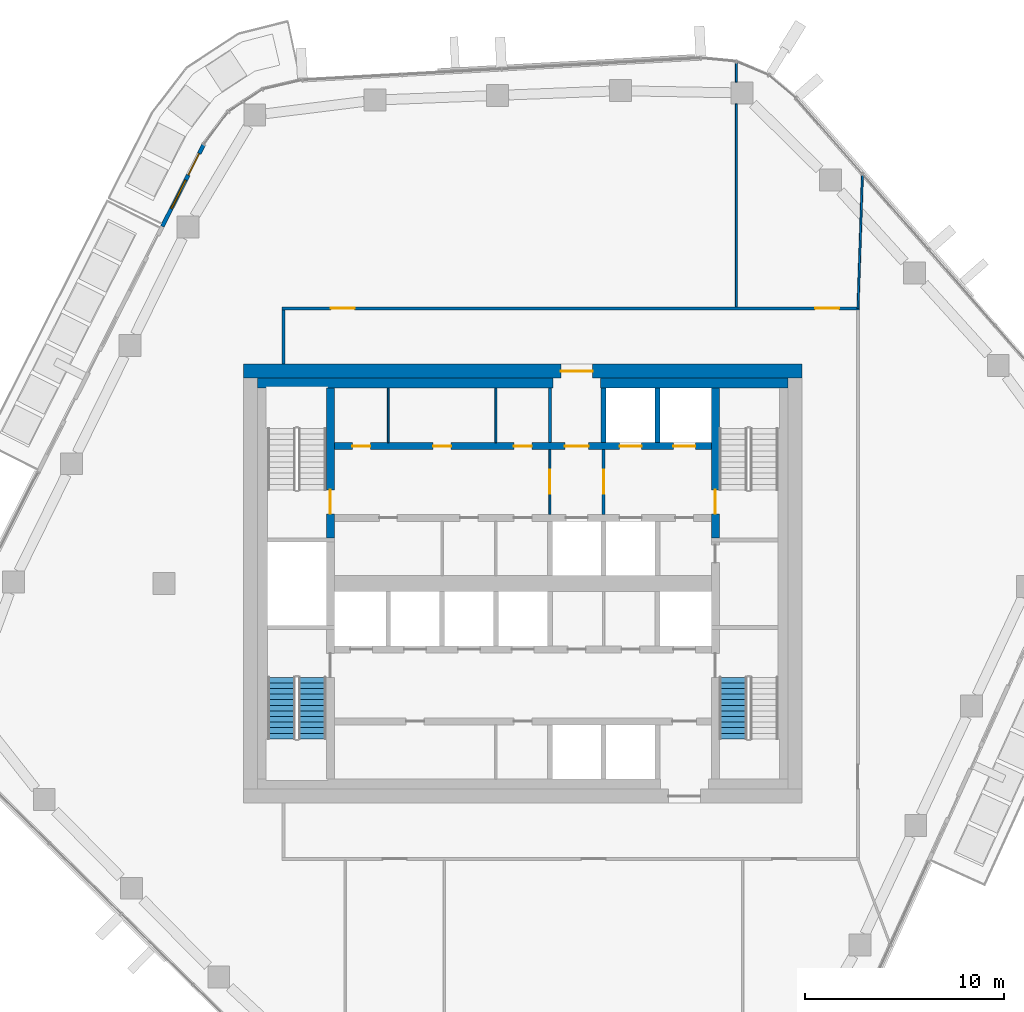
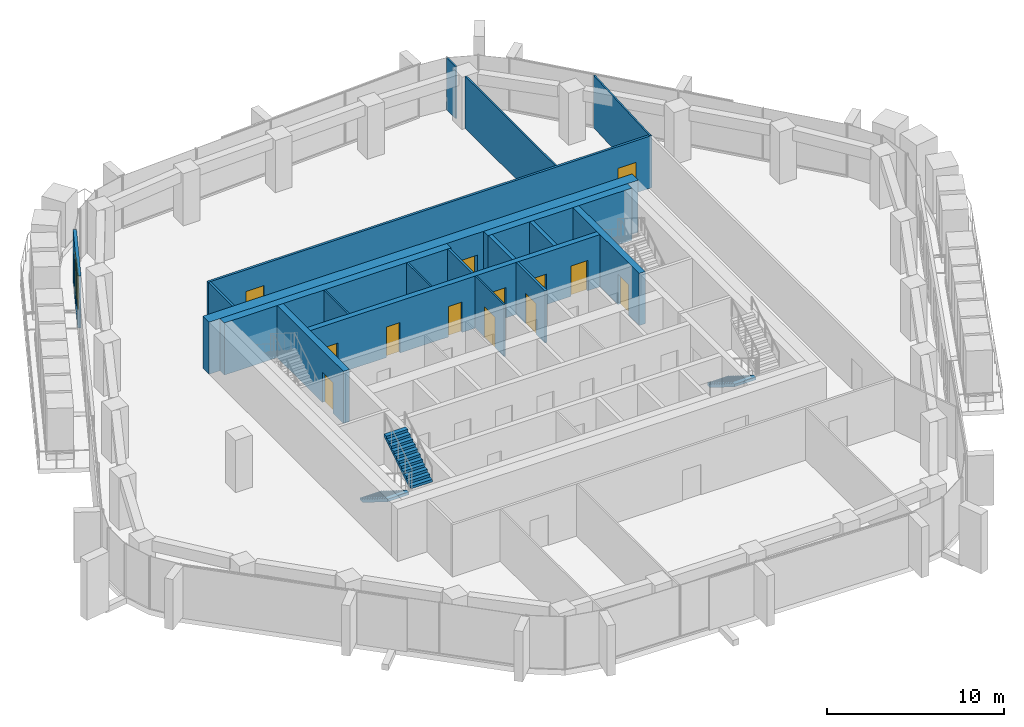
# One storey, part 13 of 21: 19 walls, 14 doors, 3 stair flights, 1 window, 15 openings, 2 elements without a shape of their own.
"""IFC4 building model written with IfcOpenShell, lengths in metres."""

from ifc_helpers import new_model, si_unit, direction, frame, frame_2d, origin, place, context, subcontext, project, spatial, polyline, rectangle, outline, extrude, material, layer, layer_set, type_object, element, fill, aggregate, save


model = new_model("IFC4")

# Units and contexts
model_context = context("Model", 3, precision=1e-05, world=origin(), true_north=direction((0.0, 1.0)))
body_context = subcontext(model_context, "Body", "Model", "MODEL_VIEW")
ifc_project = project(units=[si_unit("LENGTHUNIT", "METRE"), si_unit("AREAUNIT", "SQUARE_METRE"), si_unit("VOLUMEUNIT", "CUBIC_METRE"), si_unit("PLANEANGLEUNIT", "RADIAN"), si_unit("MASSUNIT", "GRAM", prefix="KILO")], contexts=[model_context])

# Site, building, storey
site_placement = place(None, origin())
site = spatial("IfcSite", under=ifc_project, at=site_placement, CompositionType="ELEMENT")
building_placement = place(site_placement, origin())
building = spatial("IfcBuilding", under=site, at=building_placement, Name="Dongbaek Canopy Tower", CompositionType="ELEMENT")
storey_placement = place(building_placement, frame((0.0, 0.0, 279.0)))
storey = spatial("IfcBuildingStorey", under=building, at=storey_placement, Name="L59", CompositionType="ELEMENT", Elevation=279.0)

# Wall, openings, doors
ifc_material_1 = material(Name="Concrete C60/75", Category="concrete")
ifc_layer_1 = layer(ifc_material_1, 0.35009765625)
ifc_layer_set_1 = layer_set([ifc_layer_1], Name="Core lobby wall 350 Concrete C60/75")
wall_type_1 = type_object("IfcWallType", Name="Core lobby wall 350 Concrete C60/75", PredefinedType="SHEAR", material=ifc_layer_set_1)
wall_1_placement = place(storey_placement, frame((-9.449951171875, 6.89990234375, 0.0), z_axis=(0.0, 0.0, 1.0), x_axis=(1.0, 0.0, 0.0)))
wall_1 = element("IfcWall", 1, at=wall_1_placement, inside=storey, type_object=wall_type_1, Name="Core wall", PredefinedType="SHEAR", context=body_context, shape_type="SweptSolid", body=[
    extrude(rectangle(XDim=18.89990234375, YDim=0.35009765625, at=frame_2d((9.449951171875, 0.0))), origin(), (0.0, 0.0, 1.0), 3.60009765625),
])
opening_1_placement = place(wall_1_placement, frame((11.550048828125, 0.0, 0.0)))
opening_1 = element("IfcOpeningElement", 2, at=opening_1_placement, cuts=wall_1, Name="Opening L59-D009", PredefinedType="OPENING", context=body_context, shape_type="SweptSolid", body=[
    extrude(rectangle(XDim=1.199951171875, YDim=2.10009765625, at=frame_2d((0.60009765625, 1.050048828125))), frame((0.0, 0.18505859375, 0.0), z_axis=(0.0, -1.0, 0.0), x_axis=(1.0, 0.0, 0.0)), (0.0, 0.0, 1.0), 0.3701171875),
])
opening_2_placement = place(wall_1_placement, frame((14.300048828125, 0.0, 0.0)))
opening_2 = element("IfcOpeningElement", 3, at=opening_2_placement, cuts=wall_1, Name="Opening L59-D010", PredefinedType="OPENING", context=body_context, shape_type="SweptSolid", body=[
    extrude(rectangle(XDim=1.10009765625, YDim=2.10009765625, at=frame_2d((0.550048828125, 1.050048828125))), frame((0.0, 0.18505859375, 0.0), z_axis=(0.0, -1.0, 0.0), x_axis=(1.0, 0.0, 0.0)), (0.0, 0.0, 1.0), 0.3701171875),
])
opening_3_placement = place(wall_1_placement, frame((17.0, 0.0, 0.0)))
opening_3 = element("IfcOpeningElement", 4, at=opening_3_placement, cuts=wall_1, Name="Opening L59-D011", PredefinedType="OPENING", context=body_context, shape_type="SweptSolid", body=[
    extrude(rectangle(XDim=1.10009765625, YDim=2.10009765625, at=frame_2d((0.550048828125, 1.050048828125))), frame((0.0, 0.18505859375, 0.0), z_axis=(0.0, -1.0, 0.0), x_axis=(1.0, 0.0, 0.0)), (0.0, 0.0, 1.0), 0.3701171875),
])
opening_4_placement = place(wall_1_placement, frame((0.89990234375, 0.0, 0.0)))
opening_4 = element("IfcOpeningElement", 5, at=opening_4_placement, cuts=wall_1, Name="Opening L59-D022", PredefinedType="OPENING", context=body_context, shape_type="SweptSolid", body=[
    extrude(rectangle(XDim=0.89990234375, YDim=2.10009765625, at=frame_2d((0.449951171875, 1.050048828125))), frame((0.0, 0.18505859375, 0.0), z_axis=(0.0, -1.0, 0.0), x_axis=(1.0, 0.0, 0.0)), (0.0, 0.0, 1.0), 0.3701171875),
])
opening_5_placement = place(wall_1_placement, frame((4.949951171875, 0.0, 0.0)))
opening_5 = element("IfcOpeningElement", 6, at=opening_5_placement, cuts=wall_1, Name="Opening L59-D023", PredefinedType="OPENING", context=body_context, shape_type="SweptSolid", body=[
    extrude(rectangle(XDim=0.89990234375, YDim=2.10009765625, at=frame_2d((0.449951171875, 1.050048828125))), frame((0.0, 0.18505859375, 0.0), z_axis=(0.0, -1.0, 0.0), x_axis=(1.0, 0.0, 0.0)), (0.0, 0.0, 1.0), 0.3701171875),
])
opening_6_placement = place(wall_1_placement, frame((9.0, 0.0, 0.0)))
opening_6 = element("IfcOpeningElement", 7, at=opening_6_placement, cuts=wall_1, Name="Opening L59-D024", PredefinedType="OPENING", context=body_context, shape_type="SweptSolid", body=[
    extrude(rectangle(XDim=0.89990234375, YDim=2.10009765625, at=frame_2d((0.449951171875, 1.050048828125))), frame((0.0, 0.18505859375, 0.0), z_axis=(0.0, -1.0, 0.0), x_axis=(1.0, 0.0, 0.0)), (0.0, 0.0, 1.0), 0.3701171875),
])
ifc_material_2 = material(Name="Steel", Category="steel")
door_type_1 = type_object("IfcDoorType", Name="Core room door 900 x 2100", OperationType="SINGLE_SWING_LEFT", PredefinedType="DOOR", material=ifc_material_2)
door_1_placement = place(opening_4_placement, origin())
door_1 = element("IfcDoor", 8, at=door_1_placement, inside=storey, type_object=door_type_1, Name="Door L59-D022", OperationType="SINGLE_SWING_RIGHT", OverallHeight=2.10009765625, OverallWidth=0.89990234375, PredefinedType="DOOR", context=body_context, shape_type="SweptSolid", body=[
    extrude(rectangle(XDim=0.89990234375, YDim=2.10009765625, at=frame_2d((0.449951171875, 1.050048828125))), frame((0.0, 0.02490234375, 0.0), z_axis=(0.0, -1.0, 0.0), x_axis=(1.0, 0.0, 0.0)), (0.0, 0.0, 1.0), 0.050048828125),
])
fill(opening_4, door_1)
door_2_placement = place(opening_5_placement, origin())
door_2 = element("IfcDoor", 9, at=door_2_placement, inside=storey, type_object=door_type_1, Name="Door L59-D023", OperationType="SINGLE_SWING_LEFT", OverallHeight=2.10009765625, OverallWidth=0.89990234375, PredefinedType="DOOR", context=body_context, shape_type="SweptSolid", body=[
    extrude(rectangle(XDim=0.89990234375, YDim=2.10009765625, at=frame_2d((0.449951171875, 1.050048828125))), frame((0.0, 0.02490234375, 0.0), z_axis=(0.0, -1.0, 0.0), x_axis=(1.0, 0.0, 0.0)), (0.0, 0.0, 1.0), 0.050048828125),
])
fill(opening_5, door_2)
door_3_placement = place(opening_6_placement, origin())
door_3 = element("IfcDoor", 10, at=door_3_placement, inside=storey, type_object=door_type_1, Name="Door L59-D024", OperationType="SINGLE_SWING_RIGHT", OverallHeight=2.10009765625, OverallWidth=0.89990234375, PredefinedType="DOOR", context=body_context, shape_type="SweptSolid", body=[
    extrude(rectangle(XDim=0.89990234375, YDim=2.10009765625, at=frame_2d((0.449951171875, 1.050048828125))), frame((0.0, 0.02490234375, 0.0), z_axis=(0.0, -1.0, 0.0), x_axis=(1.0, 0.0, 0.0)), (0.0, 0.0, 1.0), 0.050048828125),
])
fill(opening_6, door_3)
ifc_material_3 = material(Name="Steel", Category="steel")
door_type_2 = type_object("IfcDoorType", Name="Fire lobby door 1200 x 2100", OperationType="SINGLE_SWING_LEFT", PredefinedType="DOOR", material=ifc_material_3)
door_4_placement = place(opening_1_placement, origin())
door_4 = element("IfcDoor", 11, at=door_4_placement, inside=storey, type_object=door_type_2, Name="Door L59-D009", OperationType="SINGLE_SWING_LEFT", OverallHeight=2.10009765625, OverallWidth=1.199951171875, PredefinedType="DOOR", context=body_context, shape_type="SweptSolid", body=[
    extrude(rectangle(XDim=1.199951171875, YDim=2.10009765625, at=frame_2d((0.60009765625, 1.050048828125))), frame((0.0, 0.02490234375, 0.0), z_axis=(0.0, -1.0, 0.0), x_axis=(1.0, 0.0, 0.0)), (0.0, 0.0, 1.0), 0.050048828125),
])
fill(opening_1, door_4)
ifc_material_4 = material(Name="Stainless steel", Category="steel")
door_type_3 = type_object("IfcDoorType", Name="Lift landing door 1100 x 2100", OperationType="DOUBLE_DOOR_SLIDING", PredefinedType="DOOR", material=ifc_material_4)
door_5_placement = place(opening_2_placement, origin())
door_5 = element("IfcDoor", 12, at=door_5_placement, inside=storey, type_object=door_type_3, Name="Landing door FF1", OperationType="DOUBLE_DOOR_SLIDING", OverallHeight=2.10009765625, OverallWidth=1.10009765625, PredefinedType="DOOR", context=body_context, shape_type="SweptSolid", body=[
    extrude(rectangle(XDim=1.10009765625, YDim=2.10009765625, at=frame_2d((0.550048828125, 1.050048828125))), frame((0.0, 0.02490234375, 0.0), z_axis=(0.0, -1.0, 0.0), x_axis=(1.0, 0.0, 0.0)), (0.0, 0.0, 1.0), 0.050048828125),
])
fill(opening_2, door_5)
door_6_placement = place(opening_3_placement, origin())
door_6 = element("IfcDoor", 13, at=door_6_placement, inside=storey, type_object=door_type_3, Name="Landing door FF2", OperationType="DOUBLE_DOOR_SLIDING", OverallHeight=2.10009765625, OverallWidth=1.10009765625, PredefinedType="DOOR", context=body_context, shape_type="SweptSolid", body=[
    extrude(rectangle(XDim=1.10009765625, YDim=2.10009765625, at=frame_2d((0.550048828125, 1.050048828125))), frame((0.0, 0.02490234375, 0.0), z_axis=(0.0, -1.0, 0.0), x_axis=(1.0, 0.0, 0.0)), (0.0, 0.0, 1.0), 0.050048828125),
])
fill(opening_3, door_6)

# Wall, opening, door
ifc_material_5 = material(Name="Concrete C70/85", Category="concrete")
ifc_layer_2 = layer(ifc_material_5, 0.699951171875)
ifc_layer_set_2 = layer_set([ifc_layer_2], Name="Core outer wall 700 Concrete C70/85")
wall_type_2 = type_object("IfcWallType", Name="Core outer wall 700 Concrete C70/85", PredefinedType="SHEAR", material=ifc_layer_set_2)
wall_2_placement = place(storey_placement, frame((-14.0, 10.64990234375, 0.0), z_axis=(0.0, 0.0, 1.0), x_axis=(1.0, 0.0, 0.0)))
wall_2 = element("IfcWall", 14, at=wall_2_placement, inside=storey, type_object=wall_type_2, Name="Core wall", PredefinedType="SHEAR", context=body_context, shape_type="SweptSolid", body=[
    extrude(rectangle(XDim=28.0, YDim=0.699951171875, at=frame_2d((14.0, 0.0))), origin(), (0.0, 0.0, 1.0), 3.60009765625),
])
opening_7_placement = place(wall_2_placement, frame((15.89990234375, 0.0, 0.0)))
opening_7 = element("IfcOpeningElement", 15, at=opening_7_placement, cuts=wall_2, Name="Opening L59-D008", PredefinedType="OPENING", context=body_context, shape_type="SweptSolid", body=[
    extrude(rectangle(XDim=1.60009765625, YDim=2.10009765625, at=frame_2d((0.800048828125, 1.050048828125))), frame((0.0, 0.35986328125, 0.0), z_axis=(0.0, -1.0, 0.0), x_axis=(1.0, 0.0, 0.0)), (0.0, 0.0, 1.0), 0.719970703125),
])
ifc_material_6 = material(Name="Steel", Category="steel")
door_type_4 = type_object("IfcDoorType", Name="Core exit door 1600 x 2100", OperationType="DOUBLE_DOOR_SINGLE_SWING", PredefinedType="DOOR", material=ifc_material_6)
door_7_placement = place(opening_7_placement, origin())
door_7 = element("IfcDoor", 16, at=door_7_placement, inside=storey, type_object=door_type_4, Name="Core exit door", OperationType="DOUBLE_DOOR_SINGLE_SWING", OverallHeight=2.10009765625, OverallWidth=1.60009765625, PredefinedType="DOOR", context=body_context, shape_type="SweptSolid", body=[
    extrude(rectangle(XDim=1.60009765625, YDim=2.10009765625, at=frame_2d((0.800048828125, 1.050048828125))), frame((0.0, 0.02490234375, 0.0), z_axis=(0.0, -1.0, 0.0), x_axis=(1.0, 0.0, 0.0)), (0.0, 0.0, 1.0), 0.050048828125),
])
fill(opening_7, door_7)

# Walls
ifc_material_7 = material(Name="Concrete C60/75", Category="concrete")
ifc_layer_3 = layer(ifc_material_7, 0.5)
ifc_layer_set_3 = layer_set([ifc_layer_3], Name="Core wall lining 500 Concrete C60/75")
wall_type_3 = type_object("IfcWallType", Name="Core wall lining 500 Concrete C60/75", PredefinedType="SHEAR", material=ifc_layer_set_3)
wall_3_placement = place(storey_placement, frame((-13.300048828125, 10.050048828125, 0.0), z_axis=(0.0, 0.0, 1.0), x_axis=(1.0, 0.0, 0.0)))
element("IfcWall", 17, at=wall_3_placement, inside=storey, type_object=wall_type_3, Name="Core wall lining", PredefinedType="SHEAR", context=body_context, shape_type="SweptSolid", body=[
    extrude(rectangle(XDim=14.800048828125, YDim=0.5, at=frame_2d((7.39990234375, 0.0))), origin(), (0.0, 0.0, 1.0), 3.60009765625),
])
wall_4_placement = place(storey_placement, frame((3.89990234375, 10.050048828125, 0.0), z_axis=(0.0, 0.0, 1.0), x_axis=(1.0, 0.0, 0.0)))
element("IfcWall", 18, at=wall_4_placement, inside=storey, type_object=wall_type_3, Name="Core wall lining", PredefinedType="SHEAR", context=body_context, shape_type="SweptSolid", body=[
    extrude(rectangle(XDim=9.400146484375, YDim=0.5, at=frame_2d((4.7001953125, 0.0))), origin(), (0.0, 0.0, 1.0), 3.60009765625),
])

# Wall, openings, doors
ifc_material_8 = material(Name="Gypsum board partition, steel stud, 2 x 15 mm fire board", Category="steel")
ifc_layer_4 = layer(ifc_material_8, 0.14990234375)
ifc_layer_set_4 = layer_set([ifc_layer_4], Name="Fire-rated partition 150 gypsum board")
wall_type_4 = type_object("IfcWallType", Name="Fire-rated partition 150 gypsum board", PredefinedType="PARTITIONING", material=ifc_layer_set_4)
wall_5_placement = place(storey_placement, frame((-12.074951171875, 13.800048828125, 0.0), z_axis=(0.0, 0.0, 1.0), x_axis=(1.0, 0.0, 0.0)))
wall_5 = element("IfcWall", 19, at=wall_5_placement, inside=storey, type_object=wall_type_4, Name="Corridor partition", PredefinedType="PARTITIONING", context=body_context, shape_type="SweptSolid", body=[
    extrude(rectangle(XDim=28.949951171875, YDim=0.14990234375, at=frame_2d((14.47509765625, 0.0))), origin(), (0.0, 0.0, 1.0), 3.60009765625),
])
opening_8_placement = place(wall_5_placement, frame((26.725341796875, 0.0, 0.0)))
opening_8 = element("IfcOpeningElement", 20, at=opening_8_placement, cuts=wall_5, Name="Opening L59-D005", PredefinedType="OPENING", context=body_context, shape_type="SweptSolid", body=[
    extrude(rectangle(XDim=1.199951171875, YDim=2.10009765625, at=frame_2d((0.60009765625, 1.050048828125))), frame((0.0, 0.0849609375, 0.0), z_axis=(0.0, -1.0, 0.0), x_axis=(1.0, 0.0, 0.0)), (0.0, 0.0, 1.0), 0.169921875),
])
opening_9_placement = place(wall_5_placement, frame((2.4453125, 0.0, 0.0)))
opening_9 = element("IfcOpeningElement", 21, at=opening_9_placement, cuts=wall_5, Name="Opening L59-D006", PredefinedType="OPENING", context=body_context, shape_type="SweptSolid", body=[
    extrude(rectangle(XDim=1.199951171875, YDim=2.10009765625, at=frame_2d((0.60009765625, 1.050048828125))), frame((0.0, 0.0849609375, 0.0), z_axis=(0.0, -1.0, 0.0), x_axis=(1.0, 0.0, 0.0)), (0.0, 0.0, 1.0), 0.169921875),
])
ifc_material_9 = material(Name="Timber veneered door leaf", Category="wood")
door_type_5 = type_object("IfcDoorType", Name="Room door 1200 x 2100", OperationType="SINGLE_SWING_LEFT", PredefinedType="DOOR", material=ifc_material_9)
door_8_placement = place(opening_8_placement, origin())
door_8 = element("IfcDoor", 22, at=door_8_placement, inside=storey, type_object=door_type_5, Name="Door L59-D005", OperationType="SINGLE_SWING_RIGHT", OverallHeight=2.10009765625, OverallWidth=1.199951171875, PredefinedType="DOOR", context=body_context, shape_type="SweptSolid", body=[
    extrude(rectangle(XDim=1.199951171875, YDim=2.10009765625, at=frame_2d((0.60009765625, 1.050048828125))), frame((0.0, 0.02490234375, 0.0), z_axis=(0.0, -1.0, 0.0), x_axis=(1.0, 0.0, 0.0)), (0.0, 0.0, 1.0), 0.050048828125),
])
fill(opening_8, door_8)
door_9_placement = place(opening_9_placement, origin())
door_9 = element("IfcDoor", 23, at=door_9_placement, inside=storey, type_object=door_type_5, Name="Door L59-D006", OperationType="SINGLE_SWING_LEFT", OverallHeight=2.10009765625, OverallWidth=1.199951171875, PredefinedType="DOOR", context=body_context, shape_type="SweptSolid", body=[
    extrude(rectangle(XDim=1.199951171875, YDim=2.10009765625, at=frame_2d((0.60009765625, 1.050048828125))), frame((0.0, 0.02490234375, 0.0), z_axis=(0.0, -1.0, 0.0), x_axis=(1.0, 0.0, 0.0)), (0.0, 0.0, 1.0), 0.050048828125),
])
fill(opening_9, door_9)

# Wall
wall_6_placement = place(storey_placement, frame((-12.0, 11.0, 0.0), z_axis=(0.0, 0.0, 1.0), x_axis=(0.0, 1.0, 0.0)))
element("IfcWall", 24, at=wall_6_placement, inside=storey, type_object=wall_type_4, Name="Corridor partition", PredefinedType="PARTITIONING", context=body_context, shape_type="SweptSolid", body=[
    extrude(rectangle(XDim=2.72509765625, YDim=0.14990234375, at=frame_2d((1.362548828125, 0.0))), origin(), (0.0, 0.0, 1.0), 3.60009765625),
])

# Wall, opening, door
wall_7_placement = place(storey_placement, frame((4.050048828125, 6.72509765625, 0.0), z_axis=(0.0, 0.0, 1.0), x_axis=(0.0, -1.0, 0.0)))
wall_7 = element("IfcWall", 25, at=wall_7_placement, inside=storey, type_object=wall_type_4, Name="Fire lobby partition", PredefinedType="PARTITIONING", context=body_context, shape_type="SweptSolid", body=[
    extrude(rectangle(XDim=3.25, YDim=0.14990234375, at=frame_2d((1.625, 0.0))), origin(), (0.0, 0.0, 1.0), 3.60009765625),
])
opening_10_placement = place(wall_7_placement, frame((1.02490234375, 0.0, 0.0)))
opening_10 = element("IfcOpeningElement", 26, at=opening_10_placement, cuts=wall_7, Name="Opening L59-D037", PredefinedType="OPENING", context=body_context, shape_type="SweptSolid", body=[
    extrude(rectangle(XDim=1.199951171875, YDim=2.10009765625, at=frame_2d((0.60009765625, 1.050048828125))), frame((0.0, 0.0849609375, 0.0), z_axis=(0.0, -1.0, 0.0), x_axis=(1.0, 0.0, 0.0)), (0.0, 0.0, 1.0), 0.169921875),
])
door_10_placement = place(opening_10_placement, origin())
door_10 = element("IfcDoor", 27, at=door_10_placement, inside=storey, type_object=door_type_2, Name="Door L59-D037", OperationType="SINGLE_SWING_RIGHT", OverallHeight=2.10009765625, OverallWidth=1.199951171875, PredefinedType="DOOR", context=body_context, shape_type="SweptSolid", body=[
    extrude(rectangle(XDim=1.199951171875, YDim=2.10009765625, at=frame_2d((0.60009765625, 1.050048828125))), frame((0.0, 0.02490234375, 0.0), z_axis=(0.0, -1.0, 0.0), x_axis=(1.0, 0.0, 0.0)), (0.0, 0.0, 1.0), 0.050048828125),
])
fill(opening_10, door_10)

# Walls
wall_8_placement = place(storey_placement, frame((1.35009765625, 7.074951171875, 0.0), z_axis=(0.0, 0.0, 1.0), x_axis=(0.0, 1.0, 0.0)))
element("IfcWall", 28, at=wall_8_placement, inside=storey, type_object=wall_type_4, Name="Fire lobby partition", PredefinedType="PARTITIONING", context=body_context, shape_type="SweptSolid", body=[
    extrude(rectangle(XDim=2.72509765625, YDim=0.14990234375, at=frame_2d((1.362548828125, 0.0))), origin(), (0.0, 0.0, 1.0), 3.60009765625),
])
ifc_material_10 = material(Name="Concrete C40/50", Category="concrete")
ifc_layer_5 = layer(ifc_material_10, 0.25)
ifc_layer_set_5 = layer_set([ifc_layer_5], Name="Lift shaft wall 250 Concrete C40/50")
wall_type_5 = type_object("IfcWallType", Name="Lift shaft wall 250 Concrete C40/50", PredefinedType="SOLIDWALL", material=ifc_layer_set_5)
for number, where, z_axis, x_axis, name in (
    (29, (6.75, 7.074951171875, 0.0), (0.0, 0.0, 1.0), (0.0, 1.0, 0.0), "Lift shaft wall"),
    (30, (4.050048828125, 7.074951171875, 0.0), (0.0, 0.0, 1.0), (0.0, 1.0, 0.0), "Lift shaft wall"),
):
    element("IfcWall", number, at=place(storey_placement, frame(where, z_axis=z_axis, x_axis=x_axis)), inside=storey, type_object=wall_type_5, Name=name, PredefinedType="SOLIDWALL", context=body_context, shape_type="SweptSolid", body=[
        extrude(rectangle(XDim=2.72509765625, YDim=0.25, at=frame_2d((1.362548828125, 0.0))), origin(), (0.0, 0.0, 1.0), 3.60009765625),
    ])
ifc_material_11 = material(Name="Gypsum board partition, steel stud, 2 x 12.5 mm board", Category="steel")
ifc_layer_6 = layer(ifc_material_11, 0.10009765625)
ifc_layer_set_6 = layer_set([ifc_layer_6], Name="Partition 100 gypsum board")
wall_type_6 = type_object("IfcWallType", Name="Partition 100 gypsum board", PredefinedType="PARTITIONING", material=ifc_layer_set_6)
wall_9_placement = place(storey_placement, frame((16.7998046875, 13.800048828125, 0.0), z_axis=(0.0, 0.0, 1.0), x_axis=(0.033145414265, 0.999450539803, 0.0)))
element("IfcWall", 31, at=wall_9_placement, inside=storey, type_object=wall_type_6, Name="Partition", PredefinedType="PARTITIONING", context=body_context, shape_type="SweptSolid", body=[
    extrude(rectangle(XDim=6.717529296875, YDim=0.10009765625, at=frame_2d((3.35888671875, 0.0))), origin(), (0.0, 0.0, 1.0), 3.60009765625),
])
wall_10_placement = place(storey_placement, frame((10.700927734375, 13.875, 0.0), z_axis=(0.0, 0.0, 1.0), x_axis=(0.0, 1.0, 0.0)))
element("IfcWall", 32, at=wall_10_placement, inside=storey, type_object=wall_type_6, Name="Partition", PredefinedType="PARTITIONING", context=body_context, shape_type="SweptSolid", body=[
    extrude(rectangle(XDim=10.174072265625, YDim=0.10009765625, at=frame_2d((5.0869140625, 0.0))), origin(), (0.0, 0.0, 1.0), 3.60009765625),
])
wall_11_placement = place(storey_placement, frame((10.700927734375, 25.14892578125, 0.0), z_axis=(0.0, 0.0, 1.0), x_axis=(0.0, 1.0, 0.0)))
element("IfcWall", 33, at=wall_11_placement, inside=storey, type_object=wall_type_6, Name="Partition", PredefinedType="PARTITIONING", context=body_context, shape_type="SweptSolid", body=[
    extrude(rectangle(XDim=1.00390625, YDim=0.10009765625, at=frame_2d((0.501953125, 0.0))), origin(), (0.0, 0.0, 1.0), 3.60009765625),
])

# Wall, opening, door
wall_12_placement = place(storey_placement, frame((1.35009765625, 6.72509765625, 0.0), z_axis=(0.0, 0.0, 1.0), x_axis=(0.0, -1.0, 0.0)))
wall_12 = element("IfcWall", 34, at=wall_12_placement, inside=storey, type_object=wall_type_6, Name="Core partition", PredefinedType="PARTITIONING", context=body_context, shape_type="SweptSolid", body=[
    extrude(rectangle(XDim=3.25, YDim=0.10009765625, at=frame_2d((1.625, 0.0))), origin(), (0.0, 0.0, 1.0), 3.60009765625),
])
opening_11_placement = place(wall_12_placement, frame((1.02490234375, 0.0, 0.0)))
opening_11 = element("IfcOpeningElement", 35, at=opening_11_placement, cuts=wall_12, Name="Opening L59-D036", PredefinedType="OPENING", context=body_context, shape_type="SweptSolid", body=[
    extrude(rectangle(XDim=1.199951171875, YDim=2.10009765625, at=frame_2d((0.60009765625, 1.050048828125))), frame((0.0, 0.06005859375, 0.0), z_axis=(0.0, -1.0, 0.0), x_axis=(1.0, 0.0, 0.0)), (0.0, 0.0, 1.0), 0.1201171875),
])
door_11_placement = place(opening_11_placement, origin())
door_11 = element("IfcDoor", 36, at=door_11_placement, inside=storey, type_object=door_type_2, Name="Door L59-D036", OperationType="SINGLE_SWING_LEFT", OverallHeight=2.10009765625, OverallWidth=1.199951171875, PredefinedType="DOOR", context=body_context, shape_type="SweptSolid", body=[
    extrude(rectangle(XDim=1.199951171875, YDim=2.10009765625, at=frame_2d((0.60009765625, 1.050048828125))), frame((0.0, 0.02490234375, 0.0), z_axis=(0.0, -1.0, 0.0), x_axis=(1.0, 0.0, 0.0)), (0.0, 0.0, 1.0), 0.050048828125),
])
fill(opening_11, door_11)

# Walls
for number, where, z_axis, x_axis, name in (
    (37, (-1.35009765625, 7.074951171875, 0.0), (0.0, 0.0, 1.0), (0.0, 1.0, 0.0), "Core partition"),
    (38, (-6.75, 7.074951171875, 0.0), (0.0, 0.0, 1.0), (0.0, 1.0, 0.0), "Core partition"),
):
    element("IfcWall", number, at=place(storey_placement, frame(where, z_axis=z_axis, x_axis=x_axis)), inside=storey, type_object=wall_type_6, Name=name, PredefinedType="PARTITIONING", context=body_context, shape_type="SweptSolid", body=[
        extrude(rectangle(XDim=2.72509765625, YDim=0.10009765625, at=frame_2d((1.362548828125, 0.0))), origin(), (0.0, 0.0, 1.0), 3.60009765625),
    ])

# Wall, opening, door
ifc_material_12 = material(Name="Concrete C60/75", Category="concrete")
ifc_layer_7 = layer(ifc_material_12, 0.39990234375)
ifc_layer_set_7 = layer_set([ifc_layer_7], Name="Stair wall 400 Concrete C60/75")
wall_type_7 = type_object("IfcWallType", Name="Stair wall 400 Concrete C60/75", PredefinedType="SHEAR", material=ifc_layer_set_7)
wall_13_placement = place(storey_placement, frame((9.64990234375, 9.800048828125, 0.0), z_axis=(0.0, 0.0, 1.0), x_axis=(0.0, -1.0, 0.0)))
wall_13 = element("IfcWall", 39, at=wall_13_placement, inside=storey, type_object=wall_type_7, Name="Stair wall", PredefinedType="SHEAR", context=body_context, shape_type="SweptSolid", body=[
    extrude(rectangle(XDim=7.5, YDim=0.39990234375, at=frame_2d((3.75, 0.0))), origin(), (0.0, 0.0, 1.0), 3.60009765625),
])
opening_12_placement = place(wall_13_placement, frame((5.10009765625, 0.0, 0.0)))
opening_12 = element("IfcOpeningElement", 40, at=opening_12_placement, cuts=wall_13, Name="Opening L59-D032", PredefinedType="OPENING", context=body_context, shape_type="SweptSolid", body=[
    extrude(rectangle(XDim=1.199951171875, YDim=2.10009765625, at=frame_2d((0.60009765625, 1.050048828125))), frame((0.0, 0.2099609375, 0.0), z_axis=(0.0, -1.0, 0.0), x_axis=(1.0, 0.0, 0.0)), (0.0, 0.0, 1.0), 0.419921875),
])
ifc_material_13 = material(Name="Steel", Category="steel")
door_type_6 = type_object("IfcDoorType", Name="Stair door 1200 x 2100", OperationType="SINGLE_SWING_LEFT", PredefinedType="DOOR", material=ifc_material_13)
door_12_placement = place(opening_12_placement, origin())
door_12 = element("IfcDoor", 41, at=door_12_placement, inside=storey, type_object=door_type_6, Name="Stair A door", OperationType="SINGLE_SWING_LEFT", OverallHeight=2.10009765625, OverallWidth=1.199951171875, PredefinedType="DOOR", context=body_context, shape_type="SweptSolid", body=[
    extrude(rectangle(XDim=1.199951171875, YDim=2.10009765625, at=frame_2d((0.60009765625, 1.050048828125))), frame((0.0, 0.02490234375, 0.0), z_axis=(0.0, -1.0, 0.0), x_axis=(1.0, 0.0, 0.0)), (0.0, 0.0, 1.0), 0.050048828125),
])
fill(opening_12, door_12)

wall_14_placement = place(storey_placement, frame((-9.64990234375, 2.300048828125, 0.0), z_axis=(0.0, 0.0, 1.0), x_axis=(0.0, 1.0, 0.0)))
wall_14 = element("IfcWall", 42, at=wall_14_placement, inside=storey, type_object=wall_type_7, Name="Stair wall", PredefinedType="SHEAR", context=body_context, shape_type="SweptSolid", body=[
    extrude(rectangle(XDim=7.5, YDim=0.39990234375, at=frame_2d((3.75, 0.0))), origin(), (0.0, 0.0, 1.0), 3.60009765625),
])
opening_13_placement = place(wall_14_placement, frame((1.199951171875, 0.0, 0.0)))
opening_13 = element("IfcOpeningElement", 43, at=opening_13_placement, cuts=wall_14, Name="Opening L59-D033", PredefinedType="OPENING", context=body_context, shape_type="SweptSolid", body=[
    extrude(rectangle(XDim=1.199951171875, YDim=2.10009765625, at=frame_2d((0.60009765625, 1.050048828125))), frame((0.0, 0.2099609375, 0.0), z_axis=(0.0, -1.0, 0.0), x_axis=(1.0, 0.0, 0.0)), (0.0, 0.0, 1.0), 0.419921875),
])
door_13_placement = place(opening_13_placement, origin())
door_13 = element("IfcDoor", 44, at=door_13_placement, inside=storey, type_object=door_type_6, Name="Stair C door", OperationType="SINGLE_SWING_RIGHT", OverallHeight=2.10009765625, OverallWidth=1.199951171875, PredefinedType="DOOR", context=body_context, shape_type="SweptSolid", body=[
    extrude(rectangle(XDim=1.199951171875, YDim=2.10009765625, at=frame_2d((0.60009765625, 1.050048828125))), frame((0.0, 0.02490234375, 0.0), z_axis=(0.0, -1.0, 0.0), x_axis=(1.0, 0.0, 0.0)), (0.0, 0.0, 1.0), 0.050048828125),
])
fill(opening_13, door_13)

# Wall, openings, door, window
ifc_material_14 = material(Name="Aluminium window wall", Category="aluminium")
ifc_layer_8 = layer(ifc_material_14, 0.199951171875)
ifc_layer_set_8 = layer_set([ifc_layer_8], Name="Window wall 200")
wall_type_8 = type_object("IfcWallType", Name="Window wall 200", PredefinedType="SOLIDWALL", material=ifc_layer_set_8)
wall_15_placement = place(storey_placement, frame((-16.003662109375, 22.010498046875, 0.0), z_axis=(0.0, 0.0, 1.0), x_axis=(-0.451036802267, -0.892505351805, 0.0)))
wall_15 = element("IfcWall", 45, at=wall_15_placement, inside=storey, type_object=wall_type_8, Name="Window wall L59 4", PredefinedType="SOLIDWALL", context=body_context, shape_type="SweptSolid", body=[
    extrude(rectangle(XDim=4.5927734375, YDim=0.199951171875, at=frame_2d((2.29638671875, 0.0))), origin(), (0.0, 0.0, 1.0), 3.60009765625),
])
opening_14_placement = place(wall_15_placement, frame((2.0, 0.0, 0.60009765625)))
opening_14 = element("IfcOpeningElement", 46, at=opening_14_placement, cuts=wall_15, Name="Opening W1", PredefinedType="OPENING", context=body_context, shape_type="SweptSolid", body=[
    extrude(rectangle(XDim=1.60009765625, YDim=2.39990234375, at=frame_2d((0.800048828125, 1.199951171875))), frame((0.0, 0.10986328125, 0.0), z_axis=(0.0, -1.0, 0.0), x_axis=(1.0, 0.0, 0.0)), (0.0, 0.0, 1.0), 0.219970703125),
])
opening_15_placement = place(wall_15_placement, frame((0.5, 0.0, 0.0)))
opening_15 = element("IfcOpeningElement", 47, at=opening_15_placement, cuts=wall_15, Name="Opening L59-B04", PredefinedType="OPENING", context=body_context, shape_type="SweptSolid", body=[
    extrude(rectangle(XDim=1.199951171875, YDim=2.39990234375, at=frame_2d((0.60009765625, 1.199951171875))), frame((0.0, 0.10986328125, 0.0), z_axis=(0.0, -1.0, 0.0), x_axis=(1.0, 0.0, 0.0)), (0.0, 0.0, 1.0), 0.219970703125),
])
ifc_material_15 = material(Name="Clear glazing in aluminium frame", Category="aluminium")
door_type_7 = type_object("IfcDoorType", Name="Balcony door BD1 1200 x 2400", OperationType="SLIDING_TO_LEFT", PredefinedType="DOOR", material=ifc_material_15)
door_14_placement = place(opening_15_placement, origin())
door_14 = element("IfcDoor", 48, at=door_14_placement, inside=storey, type_object=door_type_7, Name="Balcony door L59-B04", OperationType="SLIDING_TO_LEFT", OverallHeight=2.39990234375, OverallWidth=1.199951171875, PredefinedType="DOOR", context=body_context, shape_type="SweptSolid", body=[
    extrude(rectangle(XDim=1.199951171875, YDim=2.39990234375, at=frame_2d((0.60009765625, 1.199951171875))), frame((0.0, 0.02490234375, 0.0), z_axis=(0.0, -1.0, 0.0), x_axis=(1.0, 0.0, 0.0)), (0.0, 0.0, 1.0), 0.050048828125),
])
fill(opening_15, door_14)
ifc_material_16 = material(Name="Clear glazing in aluminium frame", Category="aluminium")
window_type = type_object("IfcWindowType", Name="Window W1 1600 x 2400", PartitioningType="SINGLE_PANEL", PredefinedType="WINDOW", material=ifc_material_16)
window_placement = place(opening_14_placement, origin())
window = element("IfcWindow", 49, at=window_placement, inside=storey, type_object=window_type, Name="Window L59 4.1", OverallHeight=2.39990234375, OverallWidth=1.60009765625, PartitioningType="SINGLE_PANEL", PredefinedType="WINDOW", context=body_context, shape_type="SweptSolid", body=[
    extrude(rectangle(XDim=1.60009765625, YDim=2.39990234375, at=frame_2d((0.800048828125, 1.199951171875))), frame((0.0, 0.030029296875, 0.0), z_axis=(0.0, -1.0, 0.0), x_axis=(1.0, 0.0, 0.0)), (0.0, 0.0, 1.0), 0.06005859375),
])
fill(opening_14, window)

# Stair, stair flight
ifc_material_17 = material(Name="Concrete C40/50", Category="concrete")
stair_type = type_object("IfcStairType", Name="Core exit stair", PredefinedType="HALF_TURN_STAIR", material=ifc_material_17)
stair_1_placement = place(storey_placement, origin())
stair_1 = element("IfcStair", 50, at=stair_1_placement, inside=storey, type_object=stair_type, Name="L59 exit stair B", PredefinedType="HALF_TURN_STAIR")
ifc_material_18 = material(Name="Concrete C40/50", Category="concrete")
ifc_layer_9 = layer(ifc_material_18, 0.14990234375)
ifc_layer_set_9 = layer_set([ifc_layer_9], Name="Core stair flight 150 waist")
stair_flight_type = type_object("IfcStairFlightType", Name="Core stair flight 150 waist", PredefinedType="STRAIGHT", material=ifc_layer_set_9)
stair_flight_1_placement = place(storey_placement, frame((10.550048828125, -4.699951171875, 0.0), z_axis=(0.0, 0.0, 1.0), x_axis=(0.0, -1.0, 0.0)))
stair_flight_1 = element("IfcStairFlight", 51, at=stair_flight_1_placement, type_object=stair_flight_type, Name="ST-B flight 1", NumberOfRisers=12, NumberOfTreads=11, PredefinedType="STRAIGHT", RiserHeight=0.175, TreadLength=0.28, context=body_context, shape_type="SweptSolid", body=[
    extrude(outline(polyline([(0.0, 0.0), (0.0, 0.175048828125), (0.280029296875, 0.175048828125), (0.280029296875, 0.35009765625), (0.56005859375, 0.35009765625), (0.56005859375, 0.52490234375), (0.840087890625, 0.52490234375), (0.840087890625, 0.699951171875), (1.1201171875, 0.699951171875), (1.1201171875, 0.875), (1.39990234375, 0.875), (1.39990234375, 1.050048828125), (1.679931640625, 1.050048828125), (1.679931640625, 1.22509765625), (1.9599609375, 1.22509765625), (1.9599609375, 1.39990234375), (2.239990234375, 1.39990234375), (2.239990234375, 1.574951171875), (2.52001953125, 1.574951171875), (2.52001953125, 1.75), (2.800048828125, 1.75), (2.800048828125, 1.925048828125), (3.080078125, 1.925048828125), (3.080078125, 2.10009765625), (3.080078125, 1.748291015625), (0.28271484375, 0.0), (0.0, 0.0)])), frame((0.0, 0.699951171875, 0.0), z_axis=(0.0, -1.0, 0.0), x_axis=(1.0, 0.0, 0.0)), (0.0, 0.0, 1.0), 1.39990234375),
])
aggregate(stair_1, [stair_flight_1])

# Stair, stair flights
stair_2_placement = place(storey_placement, origin())
stair_2 = element("IfcStair", 52, at=stair_2_placement, inside=storey, type_object=stair_type, Name="L59 exit stair D", PredefinedType="HALF_TURN_STAIR")
stair_flight_2_placement = place(storey_placement, frame((-12.10009765625, -4.699951171875, 0.0), z_axis=(0.0, 0.0, 1.0), x_axis=(0.0, -1.0, 0.0)))
stair_flight_2 = element("IfcStairFlight", 53, at=stair_flight_2_placement, type_object=stair_flight_type, Name="ST-D flight 1", NumberOfRisers=12, NumberOfTreads=11, PredefinedType="STRAIGHT", RiserHeight=0.175, TreadLength=0.28, context=body_context, shape_type="SweptSolid", body=[
    extrude(outline(polyline([(0.0, 0.0), (0.0, 0.175048828125), (0.280029296875, 0.175048828125), (0.280029296875, 0.35009765625), (0.56005859375, 0.35009765625), (0.56005859375, 0.52490234375), (0.840087890625, 0.52490234375), (0.840087890625, 0.699951171875), (1.1201171875, 0.699951171875), (1.1201171875, 0.875), (1.39990234375, 0.875), (1.39990234375, 1.050048828125), (1.679931640625, 1.050048828125), (1.679931640625, 1.22509765625), (1.9599609375, 1.22509765625), (1.9599609375, 1.39990234375), (2.239990234375, 1.39990234375), (2.239990234375, 1.574951171875), (2.52001953125, 1.574951171875), (2.52001953125, 1.75), (2.800048828125, 1.75), (2.800048828125, 1.925048828125), (3.080078125, 1.925048828125), (3.080078125, 2.10009765625), (3.080078125, 1.748291015625), (0.28271484375, 0.0), (0.0, 0.0)])), frame((0.0, 0.699951171875, 0.0), z_axis=(0.0, -1.0, 0.0), x_axis=(1.0, 0.0, 0.0)), (0.0, 0.0, 1.0), 1.39990234375),
])
stair_flight_3_placement = place(storey_placement, frame((-10.550048828125, -7.780029296875, 2.10009765625), z_axis=(0.0, 0.0, 1.0), x_axis=(0.0, 1.0, 0.0)))
stair_flight_3 = element("IfcStairFlight", 54, at=stair_flight_3_placement, type_object=stair_flight_type, Name="ST-D flight 2", NumberOfRisers=12, NumberOfTreads=11, PredefinedType="STRAIGHT", RiserHeight=0.175, TreadLength=0.28, context=body_context, shape_type="SweptSolid", body=[
    extrude(outline(polyline([(0.0, 0.0), (0.0, 0.175048828125), (0.280029296875, 0.175048828125), (0.280029296875, 0.35009765625), (0.56005859375, 0.35009765625), (0.56005859375, 0.52490234375), (0.840087890625, 0.52490234375), (0.840087890625, 0.699951171875), (1.1201171875, 0.699951171875), (1.1201171875, 0.875), (1.39990234375, 0.875), (1.39990234375, 1.050048828125), (1.679931640625, 1.050048828125), (1.679931640625, 1.22509765625), (1.9599609375, 1.22509765625), (1.9599609375, 1.39990234375), (2.239990234375, 1.39990234375), (2.239990234375, 1.574951171875), (2.52001953125, 1.574951171875), (2.52001953125, 1.75), (2.800048828125, 1.75), (2.800048828125, 1.925048828125), (3.080078125, 1.925048828125), (3.080078125, 2.10009765625), (3.080078125, 1.748291015625), (0.28271484375, 0.0), (0.0, 0.0)])), frame((0.0, 0.699951171875, 0.0), z_axis=(0.0, -1.0, 0.0), x_axis=(1.0, 0.0, 0.0)), (0.0, 0.0, 1.0), 1.39990234375),
])
aggregate(stair_2, [stair_flight_2, stair_flight_3])

save(model, "model.ifc")
